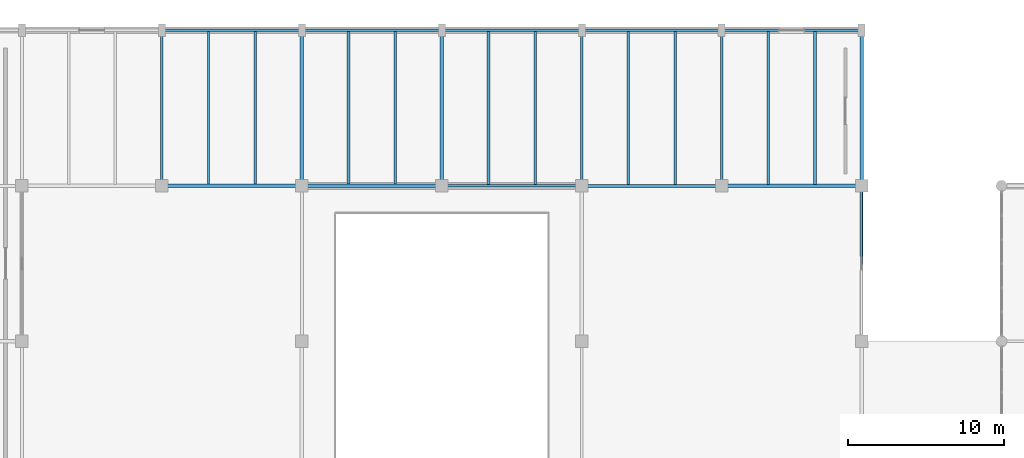
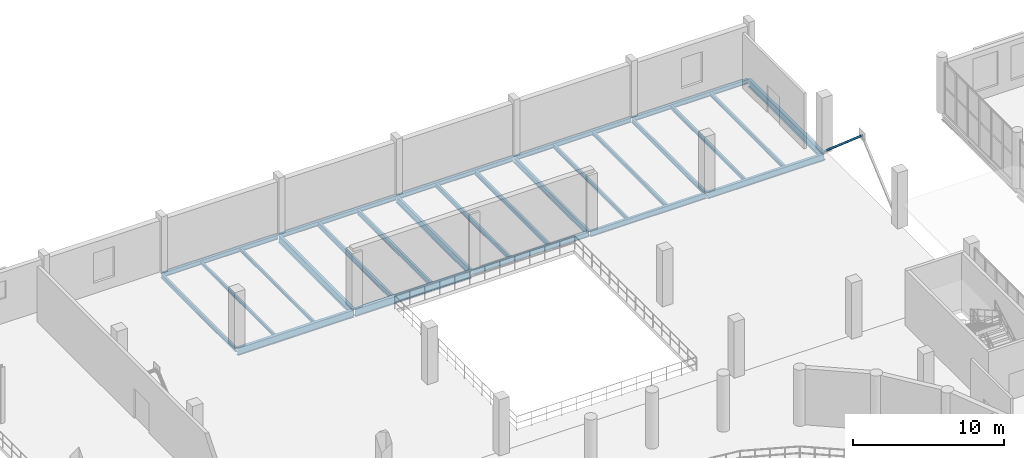
# One storey, part 48 of 93: 26 beams, 1 member.
"""IFC4 building model written with IfcOpenShell, lengths in metres."""

from ifc_helpers import new_model, si_unit, direction, frame, origin, origin_2d, place, context, subcontext, project, spatial, hollow_rectangle, i_section, extrude, material, material_profile, profile_set, type_object, element, save


model = new_model("IFC4")

# Units and contexts
model_context = context("Model", 3, precision=1e-05, world=origin(), true_north=direction((0.0, 1.0)))
body_context = subcontext(model_context, "Body", "Model", "MODEL_VIEW")
ifc_project = project(units=[si_unit("LENGTHUNIT", "METRE"), si_unit("AREAUNIT", "SQUARE_METRE"), si_unit("VOLUMEUNIT", "CUBIC_METRE"), si_unit("PLANEANGLEUNIT", "RADIAN"), si_unit("MASSUNIT", "GRAM", prefix="KILO")], contexts=[model_context])

# Site, building, storey
site_placement = place(None, origin())
site = spatial("IfcSite", under=ifc_project, at=site_placement, CompositionType="ELEMENT")
building_placement = place(site_placement, origin())
building = spatial("IfcBuilding", under=site, at=building_placement, Name="Marnock Terrace Opera House", CompositionType="ELEMENT")
storey_placement = place(building_placement, frame((0.0, 0.0, 5.39990234375)))
storey = spatial("IfcBuildingStorey", under=building, at=storey_placement, Name="L01", CompositionType="ELEMENT", Elevation=5.39990234375)

# Beams
ifc_material_1 = material(Name="Steel Grade 350 (AS/NZS 3679.1)", Category="steel")
ifc_material_profile_1 = material_profile(ifc_material_1, i_section(OverallWidth=0.1708984375, OverallDepth=0.355712890625, WebThickness=0.00732421875, FlangeThickness=0.011474609375, FilletRadius=0.011474609375, at=origin_2d()))
ifc_profile_set_1 = profile_set([ifc_material_profile_1], Name="Steel Grade 350 (AS/NZS 3679.1)")
beam_type_1 = type_object("IfcBeamType", Name="BM-GIRD-360", PredefinedType="BEAM", material=ifc_profile_set_1)
for number, where, z_axis, x_axis, name in (
    (1, (64.0, 104.050048828125, -0.457763671875), (0.0, 1.0, 0.0), (-1.0, 0.0, 0.0), "L01 girder (X=64.0, 104.0..114.0)"),
    (2, (100.0, 104.050048828125, -0.457763671875), (0.0, 1.0, 0.0), (-1.0, 0.0, 0.0), "L01 girder (X=100.0, 104.0..114.0)"),
):
    element("IfcBeam", number, at=place(storey_placement, frame(where, z_axis=z_axis, x_axis=x_axis)), inside=storey, type_object=beam_type_1, Name=name, PredefinedType="BEAM", context=body_context, shape_type="SweptSolid", body=[
        extrude(i_section(OverallWidth=0.1708984375, OverallDepth=0.355712890625, WebThickness=0.00732421875, FlangeThickness=0.011474609375, FilletRadius=0.011474609375, at=origin_2d()), origin(), (0.0, 0.0, 1.0), 9.89990234375),
    ])
ifc_material_profile_2 = material_profile(ifc_material_1, i_section(OverallWidth=0.177978515625, OverallDepth=0.402587890625, WebThickness=0.007568359375, FlangeThickness=0.010986328125, FilletRadius=0.011474609375, at=origin_2d()))
ifc_profile_set_2 = profile_set([ifc_material_profile_2], Name="Steel Grade 350 (AS/NZS 3679.1)")
beam_type_2 = type_object("IfcBeamType", Name="BM-GIRD-410", PredefinedType="BEAM", material=ifc_profile_set_2)
beam_1_placement = place(storey_placement, frame((82.050048828125, 104.0, -0.481201171875), z_axis=(1.0, 0.0, 0.0), x_axis=(0.0, 1.0, 0.0)))
element("IfcBeam", 3, at=beam_1_placement, inside=storey, type_object=beam_type_2, Name="L01 girder (82.0..91.0, Y=104.0)", PredefinedType="BEAM", context=body_context, shape_type="SweptSolid", body=[
    extrude(i_section(OverallWidth=0.177978515625, OverallDepth=0.402587890625, WebThickness=0.007568359375, FlangeThickness=0.010986328125, FilletRadius=0.011474609375, at=origin_2d()), origin(), (0.0, 0.0, 1.0), 8.89990234375),
])
ifc_material_profile_3 = material_profile(ifc_material_1, i_section(OverallWidth=0.19091796875, OverallDepth=0.46044921875, WebThickness=0.010009765625, FlangeThickness=0.01611328125, FilletRadius=0.011474609375, at=origin_2d()))
ifc_profile_set_3 = profile_set([ifc_material_profile_3], Name="Steel Grade 350 (AS/NZS 3679.1)")
beam_type_3 = type_object("IfcBeamType", Name="BM-GIRD-460A", PredefinedType="BEAM", material=ifc_profile_set_3)
beam_2_placement = place(storey_placement, frame((91.050048828125, 104.0, -0.510009765625), z_axis=(1.0, 0.0, 0.0), x_axis=(0.0, 1.0, 0.0)))
element("IfcBeam", 4, at=beam_2_placement, inside=storey, type_object=beam_type_3, Name="L01 girder (91.0..100.0, Y=104.0)", PredefinedType="BEAM", context=body_context, shape_type="SweptSolid", body=[
    extrude(i_section(OverallWidth=0.19091796875, OverallDepth=0.46044921875, WebThickness=0.010009765625, FlangeThickness=0.01611328125, FilletRadius=0.011474609375, at=origin_2d()), origin(), (0.0, 0.0, 1.0), 8.89990234375),
])
ifc_material_profile_4 = material_profile(ifc_material_1, i_section(OverallWidth=0.18994140625, OverallDepth=0.45751953125, WebThickness=0.009033203125, FlangeThickness=0.014404296875, FilletRadius=0.011474609375, at=origin_2d()))
ifc_profile_set_4 = profile_set([ifc_material_profile_4], Name="Steel Grade 350 (AS/NZS 3679.1)")
beam_type_4 = type_object("IfcBeamType", Name="BM-GIRD-460B", PredefinedType="BEAM", material=ifc_profile_set_4)
beam_3_placement = place(storey_placement, frame((91.0, 104.050048828125, -0.508544921875), z_axis=(0.0, 1.0, 0.0), x_axis=(-1.0, 0.0, 0.0)))
element("IfcBeam", 5, at=beam_3_placement, inside=storey, type_object=beam_type_4, Name="L01 girder (X=91.0, 104.0..114.0)", PredefinedType="BEAM", context=body_context, shape_type="SweptSolid", body=[
    extrude(i_section(OverallWidth=0.18994140625, OverallDepth=0.45751953125, WebThickness=0.009033203125, FlangeThickness=0.014404296875, FilletRadius=0.011474609375, at=origin_2d()), origin(), (0.0, 0.0, 1.0), 9.89990234375),
])
ifc_material_profile_5 = material_profile(ifc_material_1, i_section(OverallWidth=0.208984375, OverallDepth=0.532958984375, WebThickness=0.01025390625, FlangeThickness=0.015625, FilletRadius=0.013916015625, at=origin_2d()))
ifc_profile_set_5 = profile_set([ifc_material_profile_5], Name="Steel Grade 350 (AS/NZS 3679.1)")
beam_type_5 = type_object("IfcBeamType", Name="BM-GIRD-530A", PredefinedType="BEAM", material=ifc_profile_set_5)
beam_4_placement = place(storey_placement, frame((100.050048828125, 104.0, -0.54638671875), z_axis=(1.0, 0.0, 0.0), x_axis=(0.0, 1.0, 0.0)))
element("IfcBeam", 6, at=beam_4_placement, inside=storey, type_object=beam_type_5, Name="L01 girder (100.0..109.0, Y=104.0)", PredefinedType="BEAM", context=body_context, shape_type="SweptSolid", body=[
    extrude(i_section(OverallWidth=0.208984375, OverallDepth=0.532958984375, WebThickness=0.01025390625, FlangeThickness=0.015625, FilletRadius=0.013916015625, at=origin_2d()), origin(), (0.0, 0.0, 1.0), 8.89990234375),
])
ifc_material_profile_6 = material_profile(ifc_material_1, i_section(OverallWidth=0.208984375, OverallDepth=0.528076171875, WebThickness=0.009521484375, FlangeThickness=0.01318359375, FilletRadius=0.013916015625, at=origin_2d()))
ifc_profile_set_6 = profile_set([ifc_material_profile_6], Name="Steel Grade 350 (AS/NZS 3679.1)")
beam_type_6 = type_object("IfcBeamType", Name="BM-GIRD-530B", PredefinedType="BEAM", material=ifc_profile_set_6)
beam_5_placement = place(storey_placement, frame((82.0, 104.050048828125, -0.5439453125), z_axis=(0.0, 1.0, 0.0), x_axis=(-1.0, 0.0, 0.0)))
element("IfcBeam", 7, at=beam_5_placement, inside=storey, type_object=beam_type_6, Name="L01 girder (X=82.0, 104.0..114.0)", PredefinedType="BEAM", context=body_context, shape_type="SweptSolid", body=[
    extrude(i_section(OverallWidth=0.208984375, OverallDepth=0.528076171875, WebThickness=0.009521484375, FlangeThickness=0.01318359375, FilletRadius=0.013916015625, at=origin_2d()), origin(), (0.0, 0.0, 1.0), 9.89990234375),
])
ifc_material_profile_7 = material_profile(ifc_material_1, i_section(OverallWidth=0.22900390625, OverallDepth=0.611572265625, WebThickness=0.011962890625, FlangeThickness=0.01953125, FilletRadius=0.013916015625, at=origin_2d()))
ifc_profile_set_7 = profile_set([ifc_material_profile_7], Name="Steel Grade 350 (AS/NZS 3679.1)")
beam_type_7 = type_object("IfcBeamType", Name="BM-GIRD-610A", PredefinedType="BEAM", material=ifc_profile_set_7)
beam_6_placement = place(storey_placement, frame((73.050048828125, 104.0, -0.585693359375), z_axis=(1.0, 0.0, 0.0), x_axis=(0.0, 1.0, 0.0)))
element("IfcBeam", 8, at=beam_6_placement, inside=storey, type_object=beam_type_7, Name="L01 girder (73.0..82.0, Y=104.0)", PredefinedType="BEAM", context=body_context, shape_type="SweptSolid", body=[
    extrude(i_section(OverallWidth=0.22900390625, OverallDepth=0.611572265625, WebThickness=0.011962890625, FlangeThickness=0.01953125, FilletRadius=0.013916015625, at=origin_2d()), origin(), (0.0, 0.0, 1.0), 8.89990234375),
])
ifc_material_profile_8 = material_profile(ifc_material_1, i_section(OverallWidth=0.22802734375, OverallDepth=0.60693359375, WebThickness=0.01123046875, FlangeThickness=0.017333984375, FilletRadius=0.013916015625, at=origin_2d()))
ifc_profile_set_8 = profile_set([ifc_material_profile_8], Name="Steel Grade 350 (AS/NZS 3679.1)")
beam_type_8 = type_object("IfcBeamType", Name="BM-GIRD-610B", PredefinedType="BEAM", material=ifc_profile_set_8)
beam_7_placement = place(storey_placement, frame((64.050048828125, 104.0, -0.58349609375), z_axis=(1.0, 0.0, 0.0), x_axis=(0.0, 1.0, 0.0)))
element("IfcBeam", 9, at=beam_7_placement, inside=storey, type_object=beam_type_8, Name="L01 girder (64.0..73.0, Y=104.0)", PredefinedType="BEAM", context=body_context, shape_type="SweptSolid", body=[
    extrude(i_section(OverallWidth=0.22802734375, OverallDepth=0.60693359375, WebThickness=0.01123046875, FlangeThickness=0.017333984375, FilletRadius=0.013916015625, at=origin_2d()), origin(), (0.0, 0.0, 1.0), 8.89990234375),
])
ifc_material_profile_9 = material_profile(ifc_material_1, i_section(OverallWidth=0.22802734375, OverallDepth=0.60205078125, WebThickness=0.010498046875, FlangeThickness=0.014892578125, FilletRadius=0.013916015625, at=origin_2d()))
ifc_profile_set_9 = profile_set([ifc_material_profile_9], Name="Steel Grade 350 (AS/NZS 3679.1)")
beam_type_9 = type_object("IfcBeamType", Name="BM-GIRD-610C", PredefinedType="BEAM", material=ifc_profile_set_9)
for number, where, z_axis, x_axis, name in (
    (10, (73.0, 104.050048828125, -0.580810546875), (0.0, 1.0, 0.0), (-1.0, 0.0, 0.0), "L01 girder (X=73.0, 104.0..114.0)"),
    (11, (109.0, 104.050048828125, -0.580810546875), (0.0, 1.0, 0.0), (-1.0, 0.0, 0.0), "L01 girder (X=109.0, 104.0..114.0)"),
):
    element("IfcBeam", number, at=place(storey_placement, frame(where, z_axis=z_axis, x_axis=x_axis)), inside=storey, type_object=beam_type_9, Name=name, PredefinedType="BEAM", context=body_context, shape_type="SweptSolid", body=[
        extrude(i_section(OverallWidth=0.22802734375, OverallDepth=0.60205078125, WebThickness=0.010498046875, FlangeThickness=0.014892578125, FilletRadius=0.013916015625, at=origin_2d()), origin(), (0.0, 0.0, 1.0), 9.89990234375),
    ])
ifc_material_profile_10 = material_profile(ifc_material_1, i_section(OverallWidth=0.14599609375, OverallDepth=0.256103515625, WebThickness=0.00634765625, FlangeThickness=0.010986328125, FilletRadius=0.0087890625, at=origin_2d()))
ifc_profile_set_10 = profile_set([ifc_material_profile_10], Name="Steel Grade 350 (AS/NZS 3679.1)")
beam_type_10 = type_object("IfcBeamType", Name="BM-JOIST-250", PredefinedType="JOIST", material=ifc_profile_set_10)
for number, where, z_axis, x_axis, name in (
    (12, (67.0, 104.10888671875, -0.407958984375), (0.0, 1.0, 0.0), (-1.0, 0.0, 0.0), "L01 secondary joist 7.12.1"),
    (13, (70.0, 104.10888671875, -0.407958984375), (0.0, 1.0, 0.0), (-1.0, 0.0, 0.0), "L01 secondary joist 7.12.2"),
):
    element("IfcBeam", number, at=place(storey_placement, frame(where, z_axis=z_axis, x_axis=x_axis)), inside=storey, type_object=beam_type_10, Name=name, PredefinedType="JOIST", context=body_context, shape_type="SweptSolid", body=[
        extrude(i_section(OverallWidth=0.14599609375, OverallDepth=0.256103515625, WebThickness=0.00634765625, FlangeThickness=0.010986328125, FilletRadius=0.0087890625, at=origin_2d()), origin(), (0.0, 0.0, 1.0), 9.81005859375),
    ])
ifc_material_profile_11 = material_profile(ifc_material_1, i_section(OverallWidth=0.166015625, OverallDepth=0.30712890625, WebThickness=0.006591796875, FlangeThickness=0.01171875, FilletRadius=0.011474609375, at=origin_2d()))
ifc_profile_set_11 = profile_set([ifc_material_profile_11], Name="Steel Grade 350 (AS/NZS 3679.1)")
beam_type_11 = type_object("IfcBeamType", Name="BM-JOIST-310A", PredefinedType="JOIST", material=ifc_profile_set_11)
for number, where, z_axis, x_axis, name in (
    (14, (94.0, 104.090576171875, -0.43359375), (0.0, 1.0, 0.0), (-1.0, 0.0, 0.0), "L01 secondary joist 10.12.1"),
    (15, (97.0, 104.090576171875, -0.43359375), (0.0, 1.0, 0.0), (-1.0, 0.0, 0.0), "L01 secondary joist 10.12.2"),
):
    element("IfcBeam", number, at=place(storey_placement, frame(where, z_axis=z_axis, x_axis=x_axis)), inside=storey, type_object=beam_type_11, Name=name, PredefinedType="JOIST", context=body_context, shape_type="SweptSolid", body=[
        extrude(i_section(OverallWidth=0.166015625, OverallDepth=0.30712890625, WebThickness=0.006591796875, FlangeThickness=0.01171875, FilletRadius=0.011474609375, at=origin_2d()), origin(), (0.0, 0.0, 1.0), 9.828369140625),
    ])
ifc_material_profile_12 = material_profile(ifc_material_1, i_section(OverallWidth=0.1650390625, OverallDepth=0.3037109375, WebThickness=0.006103515625, FlangeThickness=0.01025390625, FilletRadius=0.011474609375, at=origin_2d()))
ifc_profile_set_12 = profile_set([ifc_material_profile_12], Name="Steel Grade 350 (AS/NZS 3679.1)")
beam_type_12 = type_object("IfcBeamType", Name="BM-JOIST-310B", PredefinedType="JOIST", material=ifc_profile_set_12)
for number, where, z_axis, x_axis, name in (
    (16, (103.0, 104.099609375, -0.431884765625), (0.0, 1.0, 0.0), (-1.0, 0.0, 0.0), "L01 secondary joist 11.12.1"),
    (17, (106.0, 104.099609375, -0.431884765625), (0.0, 1.0, 0.0), (-1.0, 0.0, 0.0), "L01 secondary joist 11.12.2"),
):
    element("IfcBeam", number, at=place(storey_placement, frame(where, z_axis=z_axis, x_axis=x_axis)), inside=storey, type_object=beam_type_12, Name=name, PredefinedType="JOIST", context=body_context, shape_type="SweptSolid", body=[
        extrude(i_section(OverallWidth=0.1650390625, OverallDepth=0.3037109375, WebThickness=0.006103515625, FlangeThickness=0.01025390625, FilletRadius=0.011474609375, at=origin_2d()), origin(), (0.0, 0.0, 1.0), 9.8193359375),
    ])
ifc_material_profile_13 = material_profile(ifc_material_1, i_section(OverallWidth=0.172119140625, OverallDepth=0.358642578125, WebThickness=0.008056640625, FlangeThickness=0.012939453125, FilletRadius=0.011474609375, at=origin_2d()))
ifc_profile_set_13 = profile_set([ifc_material_profile_13], Name="Steel Grade 350 (AS/NZS 3679.1)")
beam_type_13 = type_object("IfcBeamType", Name="BM-JOIST-360", PredefinedType="JOIST", material=ifc_profile_set_13)
for number, where, z_axis, x_axis, name in (
    (18, (85.0, 104.083984375, -0.459228515625), (0.0, 1.0, 0.0), (-1.0, 0.0, 0.0), "L01 secondary joist 9.12.1"),
    (19, (88.0, 104.083984375, -0.459228515625), (0.0, 1.0, 0.0), (-1.0, 0.0, 0.0), "L01 secondary joist 9.12.2"),
):
    element("IfcBeam", number, at=place(storey_placement, frame(where, z_axis=z_axis, x_axis=x_axis)), inside=storey, type_object=beam_type_13, Name=name, PredefinedType="JOIST", context=body_context, shape_type="SweptSolid", body=[
        extrude(i_section(OverallWidth=0.172119140625, OverallDepth=0.358642578125, WebThickness=0.008056640625, FlangeThickness=0.012939453125, FilletRadius=0.011474609375, at=origin_2d()), origin(), (0.0, 0.0, 1.0), 9.8349609375),
    ])
ifc_material_profile_14 = material_profile(ifc_material_1, i_section(OverallWidth=0.177978515625, OverallDepth=0.406494140625, WebThickness=0.0078125, FlangeThickness=0.0126953125, FilletRadius=0.011474609375, at=origin_2d()))
ifc_profile_set_14 = profile_set([ifc_material_profile_14], Name="Steel Grade 350 (AS/NZS 3679.1)")
beam_type_14 = type_object("IfcBeamType", Name="BM-JOIST-410", PredefinedType="JOIST", material=ifc_profile_set_14)
for number, where, z_axis, x_axis, name in (
    (20, (76.0, 104.109619140625, -0.483154296875), (0.0, 1.0, 0.0), (-1.0, 0.0, 0.0), "L01 secondary joist 8.12.1"),
    (21, (79.0, 104.109619140625, -0.483154296875), (0.0, 1.0, 0.0), (-1.0, 0.0, 0.0), "L01 secondary joist 8.12.2"),
):
    element("IfcBeam", number, at=place(storey_placement, frame(where, z_axis=z_axis, x_axis=x_axis)), inside=storey, type_object=beam_type_14, Name=name, PredefinedType="JOIST", context=body_context, shape_type="SweptSolid", body=[
        extrude(i_section(OverallWidth=0.177978515625, OverallDepth=0.406494140625, WebThickness=0.0078125, FlangeThickness=0.0126953125, FilletRadius=0.011474609375, at=origin_2d()), origin(), (0.0, 0.0, 1.0), 9.809326171875),
    ])
ifc_material_profile_15 = material_profile(ifc_material_1, i_section(OverallWidth=0.172119140625, OverallDepth=0.358642578125, WebThickness=0.008056640625, FlangeThickness=0.012939453125, FilletRadius=0.011474609375, at=origin_2d()))
ifc_profile_set_15 = profile_set([ifc_material_profile_15], Name="Steel Grade 350 (AS/NZS 3679.1)")
beam_type_15 = type_object("IfcBeamType", Name="BM-SPAN-360", PredefinedType="SPANDREL", material=ifc_profile_set_15)
for number, where, z_axis, x_axis, name in (
    (22, (64.050048828125, 114.0, -0.459228515625), (1.0, 0.0, 0.0), (0.0, 1.0, 0.0), "L01 girder (64.0..73.0, Y=114.0)"),
    (23, (73.050048828125, 114.0, -0.459228515625), (1.0, 0.0, 0.0), (0.0, 1.0, 0.0), "L01 girder (73.0..82.0, Y=114.0)"),
    (24, (82.050048828125, 114.0, -0.459228515625), (1.0, 0.0, 0.0), (0.0, 1.0, 0.0), "L01 girder (82.0..91.0, Y=114.0)"),
    (25, (91.050048828125, 114.0, -0.459228515625), (1.0, 0.0, 0.0), (0.0, 1.0, 0.0), "L01 girder (91.0..100.0, Y=114.0)"),
    (26, (100.050048828125, 114.0, -0.459228515625), (1.0, 0.0, 0.0), (0.0, 1.0, 0.0), "L01 girder (100.0..109.0, Y=114.0)"),
):
    element("IfcBeam", number, at=place(storey_placement, frame(where, z_axis=z_axis, x_axis=x_axis)), inside=storey, type_object=beam_type_15, Name=name, PredefinedType="SPANDREL", context=body_context, shape_type="SweptSolid", body=[
        extrude(i_section(OverallWidth=0.172119140625, OverallDepth=0.358642578125, WebThickness=0.008056640625, FlangeThickness=0.012939453125, FilletRadius=0.011474609375, at=origin_2d()), origin(), (0.0, 0.0, 1.0), 8.89990234375),
    ])

# Member
ifc_material_2 = material(Name="Cold-formed Steel Grade C350L0 (AS/NZS 1163)", Category="steel")
ifc_material_profile_16 = material_profile(ifc_material_2, hollow_rectangle(XDim=0.14990234375, YDim=0.14990234375, WallThickness=0.006103515625, InnerFilletRadius=0.006103515625, OuterFilletRadius=0.011962890625, at=origin_2d()))
ifc_profile_set_16 = profile_set([ifc_material_profile_16], Name="Cold-formed Steel Grade C350L0 (AS/NZS 1163)")
member_type = type_object("IfcMemberType", Name="MEM-BRACE-SHS", PredefinedType="BRACE", material=ifc_profile_set_16)
member_placement = place(storey_placement, frame((109.0, 103.85009765625, 0.0), z_axis=(0.0, -0.757482782879, 0.65285513986), x_axis=(1.0, 0.0, 0.0)))
element("IfcMember", 27, at=member_placement, inside=storey, type_object=member_type, Name="L01 chevron brace B", PredefinedType="BRACE", context=body_context, shape_type="SweptSolid", body=[
    extrude(hollow_rectangle(XDim=0.14990234375, YDim=0.14990234375, WallThickness=0.006103515625, InnerFilletRadius=0.006103515625, OuterFilletRadius=0.011962890625, at=origin_2d()), origin(), (0.0, 0.0, 1.0), 6.40283203125),
])

save(model, "model.ifc")
